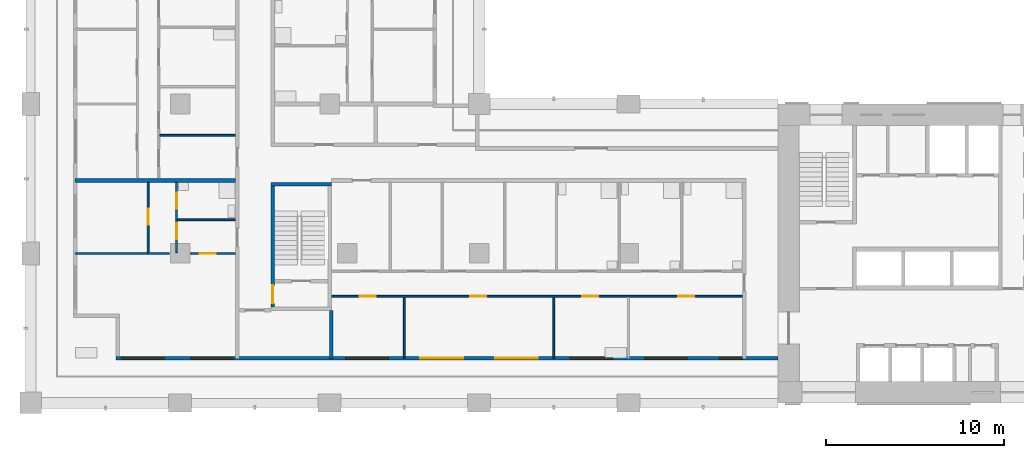
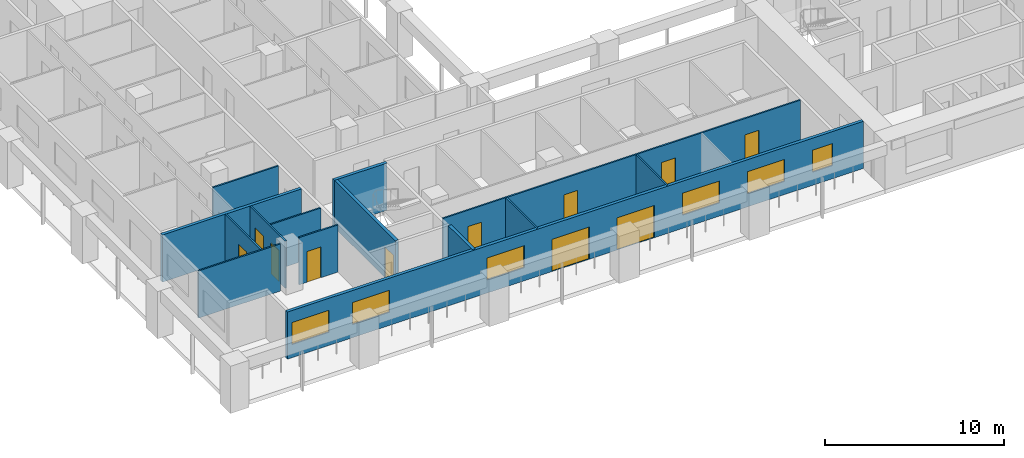
# One storey, part 2 of 17: 14 walls, 11 doors, 6 windows, 17 openings.
"""IFC4 building model written with IfcOpenShell, lengths in metres."""

from ifc_helpers import new_model, si_unit, direction, frame, frame_2d, origin, place, context, subcontext, project, spatial, rectangle, extrude, material, layer, layer_set, type_object, element, fill, save


model = new_model("IFC4")

# Units and contexts
model_context = context("Model", 3, precision=1e-05, world=origin(), true_north=direction((0.0, 1.0)))
body_context = subcontext(model_context, "Body", "Model", "MODEL_VIEW")
ifc_project = project(units=[si_unit("LENGTHUNIT", "METRE"), si_unit("AREAUNIT", "SQUARE_METRE"), si_unit("VOLUMEUNIT", "CUBIC_METRE"), si_unit("PLANEANGLEUNIT", "RADIAN"), si_unit("MASSUNIT", "GRAM", prefix="KILO")], contexts=[model_context])

# Site, building, storey
site_placement = place(None, origin())
site = spatial("IfcSite", under=ifc_project, at=site_placement, CompositionType="ELEMENT")
building_placement = place(site_placement, origin())
building = spatial("IfcBuilding", under=site, at=building_placement, Name="Vermilion Gate Residences", CompositionType="ELEMENT")
storey_placement = place(building_placement, frame((0.0, 0.0, 95.199951171875)))
storey = spatial("IfcBuildingStorey", under=building, at=storey_placement, Name="L23", CompositionType="ELEMENT", Elevation=95.199951171875)

# Wall, openings, doors, windows
ifc_material_1 = material(Name="Insulated steel stud wall with terracotta rainscreen", Category="masonry")
ifc_layer_1 = layer(ifc_material_1, 0.199951171875)
ifc_layer_set_1 = layer_set([ifc_layer_1], Name="EXTERNAL WALL 200 TERRACOTTA RAINSCREEN")
wall_type_1 = type_object("IfcWallType", Name="EXTERNAL WALL 200 TERRACOTTA RAINSCREEN", PredefinedType="SOLIDWALL", material=ifc_layer_set_1)
wall_1_placement = place(storey_placement, frame((4.800048828125, 10.89990234375, 0.0), z_axis=(0.0, 0.0, 1.0), x_axis=(1.0, 0.0, 0.0)))
wall_1 = element("IfcWall", 1, at=wall_1_placement, inside=storey, type_object=wall_type_1, Name="External wall", PredefinedType="SOLIDWALL", context=body_context, shape_type="SweptSolid", body=[
    extrude(rectangle(XDim=37.199951171875, YDim=0.199951171875, at=frame_2d((18.60009765625, 0.0))), origin(), (0.0, 0.0, 1.0), 3.219970703125),
])
opening_1_placement = place(wall_1_placement, frame((0.300048828125, 0.0, 0.89990234375)))
opening_1 = element("IfcOpeningElement", 2, at=opening_1_placement, cuts=wall_1, Name="Opening WE23012", PredefinedType="OPENING", context=body_context, shape_type="SweptSolid", body=[
    extrude(rectangle(XDim=2.39990234375, YDim=1.5, at=frame_2d((1.199951171875, 0.75))), frame((0.0, 0.10986328125, 0.0), z_axis=(0.0, -1.0, 0.0), x_axis=(1.0, 0.0, 0.0)), (0.0, 0.0, 1.0), 0.219970703125),
])
opening_2_placement = place(wall_1_placement, frame((4.199951171875, 0.0, 0.89990234375)))
opening_2 = element("IfcOpeningElement", 3, at=opening_2_placement, cuts=wall_1, Name="Opening WE23013", PredefinedType="OPENING", context=body_context, shape_type="SweptSolid", body=[
    extrude(rectangle(XDim=2.39990234375, YDim=1.5, at=frame_2d((1.199951171875, 0.75))), frame((0.0, 0.10986328125, 0.0), z_axis=(0.0, -1.0, 0.0), x_axis=(1.0, 0.0, 0.0)), (0.0, 0.0, 1.0), 0.219970703125),
])
opening_3_placement = place(wall_1_placement, frame((12.89990234375, 0.0, 0.89990234375)))
opening_3 = element("IfcOpeningElement", 4, at=opening_3_placement, cuts=wall_1, Name="Opening WE23014", PredefinedType="OPENING", context=body_context, shape_type="SweptSolid", body=[
    extrude(rectangle(XDim=2.39990234375, YDim=1.5, at=frame_2d((1.199951171875, 0.75))), frame((0.0, 0.10986328125, 0.0), z_axis=(0.0, -1.0, 0.0), x_axis=(1.0, 0.0, 0.0)), (0.0, 0.0, 1.0), 0.219970703125),
])
opening_4_placement = place(wall_1_placement, frame((17.10009765625, 0.0, 0.0)))
opening_4 = element("IfcOpeningElement", 5, at=opening_4_placement, cuts=wall_1, Name="Opening DE23015", PredefinedType="OPENING", context=body_context, shape_type="SweptSolid", body=[
    extrude(rectangle(XDim=2.39990234375, YDim=2.199951171875, at=frame_2d((1.199951171875, 1.10009765625))), frame((0.0, 0.10986328125, 0.0), z_axis=(0.0, -1.0, 0.0), x_axis=(1.0, 0.0, 0.0)), (0.0, 0.0, 1.0), 0.219970703125),
])
opening_5_placement = place(wall_1_placement, frame((21.300048828125, 0.0, 0.0)))
opening_5 = element("IfcOpeningElement", 6, at=opening_5_placement, cuts=wall_1, Name="Opening DE23016", PredefinedType="OPENING", context=body_context, shape_type="SweptSolid", body=[
    extrude(rectangle(XDim=2.39990234375, YDim=2.199951171875, at=frame_2d((1.199951171875, 1.10009765625))), frame((0.0, 0.10986328125, 0.0), z_axis=(0.0, -1.0, 0.0), x_axis=(1.0, 0.0, 0.0)), (0.0, 0.0, 1.0), 0.219970703125),
])
opening_6_placement = place(wall_1_placement, frame((25.5, 0.0, 0.89990234375)))
opening_6 = element("IfcOpeningElement", 7, at=opening_6_placement, cuts=wall_1, Name="Opening WE23017", PredefinedType="OPENING", context=body_context, shape_type="SweptSolid", body=[
    extrude(rectangle(XDim=2.39990234375, YDim=1.5, at=frame_2d((1.199951171875, 0.75))), frame((0.0, 0.10986328125, 0.0), z_axis=(0.0, -1.0, 0.0), x_axis=(1.0, 0.0, 0.0)), (0.0, 0.0, 1.0), 0.219970703125),
])
opening_7_placement = place(wall_1_placement, frame((29.699951171875, 0.0, 0.89990234375)))
opening_7 = element("IfcOpeningElement", 8, at=opening_7_placement, cuts=wall_1, Name="Opening WE23018", PredefinedType="OPENING", context=body_context, shape_type="SweptSolid", body=[
    extrude(rectangle(XDim=2.39990234375, YDim=1.5, at=frame_2d((1.199951171875, 0.75))), frame((0.0, 0.10986328125, 0.0), z_axis=(0.0, -1.0, 0.0), x_axis=(1.0, 0.0, 0.0)), (0.0, 0.0, 1.0), 0.219970703125),
])
opening_8_placement = place(wall_1_placement, frame((33.89990234375, 0.0, 0.89990234375)))
opening_8 = element("IfcOpeningElement", 9, at=opening_8_placement, cuts=wall_1, Name="Opening WE23019", PredefinedType="OPENING", context=body_context, shape_type="SweptSolid", body=[
    extrude(rectangle(XDim=1.300048828125, YDim=1.5, at=frame_2d((0.64990234375, 0.75))), frame((0.0, 0.10986328125, 0.0), z_axis=(0.0, -1.0, 0.0), x_axis=(1.0, 0.0, 0.0)), (0.0, 0.0, 1.0), 0.219970703125),
])
ifc_material_2 = material(Name="Aluminium and clear glass", Category="aluminium")
door_type_1 = type_object("IfcDoorType", Name="SLIDING GLAZED DOOR 2400 X 2200", OperationType="DOUBLE_DOOR_SLIDING", PredefinedType="DOOR", material=ifc_material_2)
door_1_placement = place(opening_4_placement, origin())
door_1 = element("IfcDoor", 10, at=door_1_placement, inside=storey, type_object=door_type_1, Name="Loggia sliding door", OperationType="DOUBLE_DOOR_SLIDING", OverallHeight=2.199951171875, OverallWidth=2.39990234375, PredefinedType="DOOR", context=body_context, shape_type="SweptSolid", body=[
    extrude(rectangle(XDim=2.39990234375, YDim=2.199951171875, at=frame_2d((1.199951171875, 1.10009765625))), frame((0.0, 0.02490234375, 0.0), z_axis=(0.0, -1.0, 0.0), x_axis=(1.0, 0.0, 0.0)), (0.0, 0.0, 1.0), 0.050048828125),
])
fill(opening_4, door_1)
door_2_placement = place(opening_5_placement, origin())
door_2 = element("IfcDoor", 11, at=door_2_placement, inside=storey, type_object=door_type_1, Name="Loggia sliding door", OperationType="DOUBLE_DOOR_SLIDING", OverallHeight=2.199951171875, OverallWidth=2.39990234375, PredefinedType="DOOR", context=body_context, shape_type="SweptSolid", body=[
    extrude(rectangle(XDim=2.39990234375, YDim=2.199951171875, at=frame_2d((1.199951171875, 1.10009765625))), frame((0.0, 0.02490234375, 0.0), z_axis=(0.0, -1.0, 0.0), x_axis=(1.0, 0.0, 0.0)), (0.0, 0.0, 1.0), 0.050048828125),
])
fill(opening_5, door_2)
ifc_material_3 = material(Name="Aluminium and clear glass", Category="aluminium")
window_type_1 = type_object("IfcWindowType", Name="WINDOW 1300 X 1500", PartitioningType="SINGLE_PANEL", PredefinedType="WINDOW", material=ifc_material_3)
window_1_placement = place(opening_8_placement, origin())
window_1 = element("IfcWindow", 12, at=window_1_placement, inside=storey, type_object=window_type_1, Name="Window", OverallHeight=1.5, OverallWidth=1.300048828125, PartitioningType="SINGLE_PANEL", PredefinedType="WINDOW", context=body_context, shape_type="SweptSolid", body=[
    extrude(rectangle(XDim=1.300048828125, YDim=1.5, at=frame_2d((0.64990234375, 0.75))), frame((0.0, 0.030029296875, 0.0), z_axis=(0.0, -1.0, 0.0), x_axis=(1.0, 0.0, 0.0)), (0.0, 0.0, 1.0), 0.06005859375),
])
fill(opening_8, window_1)
ifc_material_4 = material(Name="Aluminium and clear glass", Category="aluminium")
window_type_2 = type_object("IfcWindowType", Name="WINDOW 2400 X 1500", PartitioningType="SINGLE_PANEL", PredefinedType="WINDOW", material=ifc_material_4)
window_2_placement = place(opening_1_placement, origin())
window_2 = element("IfcWindow", 13, at=window_2_placement, inside=storey, type_object=window_type_2, Name="Window", OverallHeight=1.5, OverallWidth=2.39990234375, PartitioningType="SINGLE_PANEL", PredefinedType="WINDOW", context=body_context, shape_type="SweptSolid", body=[
    extrude(rectangle(XDim=2.39990234375, YDim=1.5, at=frame_2d((1.199951171875, 0.75))), frame((0.0, 0.030029296875, 0.0), z_axis=(0.0, -1.0, 0.0), x_axis=(1.0, 0.0, 0.0)), (0.0, 0.0, 1.0), 0.06005859375),
])
fill(opening_1, window_2)
window_3_placement = place(opening_2_placement, origin())
window_3 = element("IfcWindow", 14, at=window_3_placement, inside=storey, type_object=window_type_2, Name="Window", OverallHeight=1.5, OverallWidth=2.39990234375, PartitioningType="SINGLE_PANEL", PredefinedType="WINDOW", context=body_context, shape_type="SweptSolid", body=[
    extrude(rectangle(XDim=2.39990234375, YDim=1.5, at=frame_2d((1.199951171875, 0.75))), frame((0.0, 0.030029296875, 0.0), z_axis=(0.0, -1.0, 0.0), x_axis=(1.0, 0.0, 0.0)), (0.0, 0.0, 1.0), 0.06005859375),
])
fill(opening_2, window_3)
window_4_placement = place(opening_3_placement, origin())
window_4 = element("IfcWindow", 15, at=window_4_placement, inside=storey, type_object=window_type_2, Name="Window", OverallHeight=1.5, OverallWidth=2.39990234375, PartitioningType="SINGLE_PANEL", PredefinedType="WINDOW", context=body_context, shape_type="SweptSolid", body=[
    extrude(rectangle(XDim=2.39990234375, YDim=1.5, at=frame_2d((1.199951171875, 0.75))), frame((0.0, 0.030029296875, 0.0), z_axis=(0.0, -1.0, 0.0), x_axis=(1.0, 0.0, 0.0)), (0.0, 0.0, 1.0), 0.06005859375),
])
fill(opening_3, window_4)
window_5_placement = place(opening_6_placement, origin())
window_5 = element("IfcWindow", 16, at=window_5_placement, inside=storey, type_object=window_type_2, Name="Window", OverallHeight=1.5, OverallWidth=2.39990234375, PartitioningType="SINGLE_PANEL", PredefinedType="WINDOW", context=body_context, shape_type="SweptSolid", body=[
    extrude(rectangle(XDim=2.39990234375, YDim=1.5, at=frame_2d((1.199951171875, 0.75))), frame((0.0, 0.030029296875, 0.0), z_axis=(0.0, -1.0, 0.0), x_axis=(1.0, 0.0, 0.0)), (0.0, 0.0, 1.0), 0.06005859375),
])
fill(opening_6, window_5)
window_6_placement = place(opening_7_placement, origin())
window_6 = element("IfcWindow", 17, at=window_6_placement, inside=storey, type_object=window_type_2, Name="Window", OverallHeight=1.5, OverallWidth=2.39990234375, PartitioningType="SINGLE_PANEL", PredefinedType="WINDOW", context=body_context, shape_type="SweptSolid", body=[
    extrude(rectangle(XDim=2.39990234375, YDim=1.5, at=frame_2d((1.199951171875, 0.75))), frame((0.0, 0.030029296875, 0.0), z_axis=(0.0, -1.0, 0.0), x_axis=(1.0, 0.0, 0.0)), (0.0, 0.0, 1.0), 0.06005859375),
])
fill(opening_7, window_6)

# Wall, openings, doors
ifc_material_5 = material(Name="Plasterboard on steel studs", Category="steel")
ifc_layer_2 = layer(ifc_material_5, 0.10009765625)
ifc_layer_set_2 = layer_set([ifc_layer_2], Name="PARTITION 100")
wall_type_2 = type_object("IfcWallType", Name="PARTITION 100", PredefinedType="PARTITIONING", material=ifc_layer_set_2)
wall_2_placement = place(storey_placement, frame((16.89990234375, 14.39990234375, 0.0), z_axis=(0.0, 0.0, 1.0), x_axis=(1.0, 0.0, 0.0)))
wall_2 = element("IfcWall", 18, at=wall_2_placement, inside=storey, type_object=wall_type_2, Name="Partition", PredefinedType="PARTITIONING", context=body_context, shape_type="SweptSolid", body=[
    extrude(rectangle(XDim=23.10009765625, YDim=0.10009765625, at=frame_2d((11.550048828125, 0.0))), origin(), (0.0, 0.0, 1.0), 3.219970703125),
])
opening_9_placement = place(wall_2_placement, frame((1.60009765625, 0.0, 0.0)))
opening_9 = element("IfcOpeningElement", 19, at=opening_9_placement, cuts=wall_2, Name="Opening DA22002", PredefinedType="OPENING", context=body_context, shape_type="SweptSolid", body=[
    extrude(rectangle(XDim=0.89990234375, YDim=2.10009765625, at=frame_2d((0.449951171875, 1.050048828125))), frame((0.0, 0.06005859375, 0.0), z_axis=(0.0, -1.0, 0.0), x_axis=(1.0, 0.0, 0.0)), (0.0, 0.0, 1.0), 0.1201171875),
])
opening_10_placement = place(wall_2_placement, frame((7.800048828125, 0.0, 0.0)))
opening_10 = element("IfcOpeningElement", 20, at=opening_10_placement, cuts=wall_2, Name="Opening DA22003", PredefinedType="OPENING", context=body_context, shape_type="SweptSolid", body=[
    extrude(rectangle(XDim=0.89990234375, YDim=2.10009765625, at=frame_2d((0.449951171875, 1.050048828125))), frame((0.0, 0.06005859375, 0.0), z_axis=(0.0, -1.0, 0.0), x_axis=(1.0, 0.0, 0.0)), (0.0, 0.0, 1.0), 0.1201171875),
])
opening_11_placement = place(wall_2_placement, frame((14.10009765625, 0.0, 0.0)))
opening_11 = element("IfcOpeningElement", 21, at=opening_11_placement, cuts=wall_2, Name="Opening DA22004", PredefinedType="OPENING", context=body_context, shape_type="SweptSolid", body=[
    extrude(rectangle(XDim=0.89990234375, YDim=2.10009765625, at=frame_2d((0.449951171875, 1.050048828125))), frame((0.0, 0.06005859375, 0.0), z_axis=(0.0, -1.0, 0.0), x_axis=(1.0, 0.0, 0.0)), (0.0, 0.0, 1.0), 0.1201171875),
])
opening_12_placement = place(wall_2_placement, frame((19.5, 0.0, 0.0)))
opening_12 = element("IfcOpeningElement", 22, at=opening_12_placement, cuts=wall_2, Name="Opening DA22005", PredefinedType="OPENING", context=body_context, shape_type="SweptSolid", body=[
    extrude(rectangle(XDim=0.89990234375, YDim=2.10009765625, at=frame_2d((0.449951171875, 1.050048828125))), frame((0.0, 0.06005859375, 0.0), z_axis=(0.0, -1.0, 0.0), x_axis=(1.0, 0.0, 0.0)), (0.0, 0.0, 1.0), 0.1201171875),
])
ifc_material_6 = material(Name="Timber", Category="wood")
door_type_2 = type_object("IfcDoorType", Name="INTERIOR DOOR 900 X 2100", OperationType="SINGLE_SWING_LEFT", PredefinedType="DOOR", material=ifc_material_6)
door_3_placement = place(opening_9_placement, frame((0.89990234375, 0.0, 0.0), z_axis=(0.0, 0.0, 1.0), x_axis=(-1.0, 0.0, 0.0)))
door_3 = element("IfcDoor", 23, at=door_3_placement, inside=storey, type_object=door_type_2, Name="Interior door", OperationType="SINGLE_SWING_LEFT", OverallHeight=2.10009765625, OverallWidth=0.89990234375, PredefinedType="DOOR", context=body_context, shape_type="SweptSolid", body=[
    extrude(rectangle(XDim=0.89990234375, YDim=2.10009765625, at=frame_2d((0.449951171875, 1.050048828125))), frame((0.0, 0.02490234375, 0.0), z_axis=(0.0, -1.0, 0.0), x_axis=(1.0, 0.0, 0.0)), (0.0, 0.0, 1.0), 0.050048828125),
])
fill(opening_9, door_3)
door_4_placement = place(opening_10_placement, frame((0.89990234375, 0.0, 0.0), z_axis=(0.0, 0.0, 1.0), x_axis=(-1.0, 0.0, 0.0)))
door_4 = element("IfcDoor", 24, at=door_4_placement, inside=storey, type_object=door_type_2, Name="Interior door", OperationType="SINGLE_SWING_RIGHT", OverallHeight=2.10009765625, OverallWidth=0.89990234375, PredefinedType="DOOR", context=body_context, shape_type="SweptSolid", body=[
    extrude(rectangle(XDim=0.89990234375, YDim=2.10009765625, at=frame_2d((0.449951171875, 1.050048828125))), frame((0.0, 0.02490234375, 0.0), z_axis=(0.0, -1.0, 0.0), x_axis=(1.0, 0.0, 0.0)), (0.0, 0.0, 1.0), 0.050048828125),
])
fill(opening_10, door_4)
door_5_placement = place(opening_11_placement, frame((0.89990234375, 0.0, 0.0), z_axis=(0.0, 0.0, 1.0), x_axis=(-1.0, 0.0, 0.0)))
door_5 = element("IfcDoor", 25, at=door_5_placement, inside=storey, type_object=door_type_2, Name="Interior door", OperationType="SINGLE_SWING_RIGHT", OverallHeight=2.10009765625, OverallWidth=0.89990234375, PredefinedType="DOOR", context=body_context, shape_type="SweptSolid", body=[
    extrude(rectangle(XDim=0.89990234375, YDim=2.10009765625, at=frame_2d((0.449951171875, 1.050048828125))), frame((0.0, 0.02490234375, 0.0), z_axis=(0.0, -1.0, 0.0), x_axis=(1.0, 0.0, 0.0)), (0.0, 0.0, 1.0), 0.050048828125),
])
fill(opening_11, door_5)
door_6_placement = place(opening_12_placement, frame((0.89990234375, 0.0, 0.0), z_axis=(0.0, 0.0, 1.0), x_axis=(-1.0, 0.0, 0.0)))
door_6 = element("IfcDoor", 26, at=door_6_placement, inside=storey, type_object=door_type_2, Name="Interior door", OperationType="SINGLE_SWING_LEFT", OverallHeight=2.10009765625, OverallWidth=0.89990234375, PredefinedType="DOOR", context=body_context, shape_type="SweptSolid", body=[
    extrude(rectangle(XDim=0.89990234375, YDim=2.10009765625, at=frame_2d((0.449951171875, 1.050048828125))), frame((0.0, 0.02490234375, 0.0), z_axis=(0.0, -1.0, 0.0), x_axis=(1.0, 0.0, 0.0)), (0.0, 0.0, 1.0), 0.050048828125),
])
fill(opening_12, door_6)

# Wall
wall_3_placement = place(storey_placement, frame((2.5, 16.800048828125, 0.0), z_axis=(0.0, 0.0, 1.0), x_axis=(1.0, 0.0, 0.0)))
element("IfcWall", 27, at=wall_3_placement, inside=storey, type_object=wall_type_2, Name="Partition", PredefinedType="PARTITIONING", context=body_context, shape_type="SweptSolid", body=[
    extrude(rectangle(XDim=5.300048828125, YDim=0.10009765625, at=frame_2d((2.64990234375, 0.0))), origin(), (0.0, 0.0, 1.0), 3.219970703125),
])

# Wall, opening, door
wall_4_placement = place(storey_placement, frame((9.0, 16.800048828125, 0.0), z_axis=(0.0, 0.0, 1.0), x_axis=(1.0, 0.0, 0.0)))
wall_4 = element("IfcWall", 28, at=wall_4_placement, inside=storey, type_object=wall_type_2, Name="Partition", PredefinedType="PARTITIONING", context=body_context, shape_type="SweptSolid", body=[
    extrude(rectangle(XDim=2.5, YDim=0.10009765625, at=frame_2d((1.25, 0.0))), origin(), (0.0, 0.0, 1.0), 3.219970703125),
])
opening_13_placement = place(wall_4_placement, frame((0.5, 0.0, 0.0)))
opening_13 = element("IfcOpeningElement", 29, at=opening_13_placement, cuts=wall_4, Name="Opening DA22013", PredefinedType="OPENING", context=body_context, shape_type="SweptSolid", body=[
    extrude(rectangle(XDim=0.89990234375, YDim=2.10009765625, at=frame_2d((0.449951171875, 1.050048828125))), frame((0.0, 0.06005859375, 0.0), z_axis=(0.0, -1.0, 0.0), x_axis=(1.0, 0.0, 0.0)), (0.0, 0.0, 1.0), 0.1201171875),
])
door_7_placement = place(opening_13_placement, frame((0.89990234375, 0.0, 0.0), z_axis=(0.0, 0.0, 1.0), x_axis=(-1.0, 0.0, 0.0)))
door_7 = element("IfcDoor", 30, at=door_7_placement, inside=storey, type_object=door_type_2, Name="Interior door", OperationType="SINGLE_SWING_RIGHT", OverallHeight=2.10009765625, OverallWidth=0.89990234375, PredefinedType="DOOR", context=body_context, shape_type="SweptSolid", body=[
    extrude(rectangle(XDim=0.89990234375, YDim=2.10009765625, at=frame_2d((0.449951171875, 1.050048828125))), frame((0.0, 0.02490234375, 0.0), z_axis=(0.0, -1.0, 0.0), x_axis=(1.0, 0.0, 0.0)), (0.0, 0.0, 1.0), 0.050048828125),
])
fill(opening_13, door_7)

# Walls
wall_5_placement = place(storey_placement, frame((8.25, 18.699951171875, 0.0), z_axis=(0.0, 0.0, 1.0), x_axis=(1.0, 0.0, 0.0)))
element("IfcWall", 31, at=wall_5_placement, inside=storey, type_object=wall_type_2, Name="Partition", PredefinedType="PARTITIONING", context=body_context, shape_type="SweptSolid", body=[
    extrude(rectangle(XDim=3.25, YDim=0.10009765625, at=frame_2d((1.625, 0.0))), origin(), (0.0, 0.0, 1.0), 3.219970703125),
])
wall_6_placement = place(storey_placement, frame((7.25, 23.43798828125, 0.0), z_axis=(0.0, 0.0, 1.0), x_axis=(1.0, 0.0, 0.0)))
element("IfcWall", 32, at=wall_6_placement, inside=storey, type_object=wall_type_2, Name="Partition", PredefinedType="PARTITIONING", context=body_context, shape_type="SweptSolid", body=[
    extrude(rectangle(XDim=4.25, YDim=0.10009765625, at=frame_2d((2.125, 0.0))), origin(), (0.0, 0.0, 1.0), 3.219970703125),
])

# Wall, opening, door
wall_7_placement = place(storey_placement, frame((6.60009765625, 16.85009765625, 0.0), z_axis=(0.0, 0.0, 1.0), x_axis=(0.0, 1.0, 0.0)))
wall_7 = element("IfcWall", 33, at=wall_7_placement, inside=storey, type_object=wall_type_2, Name="Partition", PredefinedType="PARTITIONING", context=body_context, shape_type="SweptSolid", body=[
    extrude(rectangle(XDim=3.949951171875, YDim=0.10009765625, at=frame_2d((1.97509765625, 0.0))), origin(), (0.0, 0.0, 1.0), 3.219970703125),
])
opening_14_placement = place(wall_7_placement, frame((1.550048828125, 0.0, 0.0)))
opening_14 = element("IfcOpeningElement", 34, at=opening_14_placement, cuts=wall_7, Name="Opening DA22025", PredefinedType="OPENING", context=body_context, shape_type="SweptSolid", body=[
    extrude(rectangle(XDim=0.89990234375, YDim=2.10009765625, at=frame_2d((0.449951171875, 1.050048828125))), frame((0.0, 0.06005859375, 0.0), z_axis=(0.0, -1.0, 0.0), x_axis=(1.0, 0.0, 0.0)), (0.0, 0.0, 1.0), 0.1201171875),
])
door_8_placement = place(opening_14_placement, origin())
door_8 = element("IfcDoor", 35, at=door_8_placement, inside=storey, type_object=door_type_2, Name="Interior door", OperationType="SINGLE_SWING_RIGHT", OverallHeight=2.10009765625, OverallWidth=0.89990234375, PredefinedType="DOOR", context=body_context, shape_type="SweptSolid", body=[
    extrude(rectangle(XDim=0.89990234375, YDim=2.10009765625, at=frame_2d((0.449951171875, 1.050048828125))), frame((0.0, 0.02490234375, 0.0), z_axis=(0.0, -1.0, 0.0), x_axis=(1.0, 0.0, 0.0)), (0.0, 0.0, 1.0), 0.050048828125),
])
fill(opening_14, door_8)

# Wall, openings, doors
wall_8_placement = place(storey_placement, frame((8.199951171875, 16.85009765625, 0.0), z_axis=(0.0, 0.0, 1.0), x_axis=(0.0, 1.0, 0.0)))
wall_8 = element("IfcWall", 36, at=wall_8_placement, inside=storey, type_object=wall_type_2, Name="Partition", PredefinedType="PARTITIONING", context=body_context, shape_type="SweptSolid", body=[
    extrude(rectangle(XDim=3.949951171875, YDim=0.10009765625, at=frame_2d((1.97509765625, 0.0))), origin(), (0.0, 0.0, 1.0), 3.219970703125),
])
opening_15_placement = place(wall_8_placement, frame((0.75, 0.0, 0.0)))
opening_15 = element("IfcOpeningElement", 37, at=opening_15_placement, cuts=wall_8, Name="Opening DA22034", PredefinedType="OPENING", context=body_context, shape_type="SweptSolid", body=[
    extrude(rectangle(XDim=0.89990234375, YDim=2.10009765625, at=frame_2d((0.449951171875, 1.050048828125))), frame((0.0, 0.06005859375, 0.0), z_axis=(0.0, -1.0, 0.0), x_axis=(1.0, 0.0, 0.0)), (0.0, 0.0, 1.0), 0.1201171875),
])
opening_16_placement = place(wall_8_placement, frame((2.449951171875, 0.0, 0.0)))
opening_16 = element("IfcOpeningElement", 38, at=opening_16_placement, cuts=wall_8, Name="Opening DA22035", PredefinedType="OPENING", context=body_context, shape_type="SweptSolid", body=[
    extrude(rectangle(XDim=0.89990234375, YDim=2.10009765625, at=frame_2d((0.449951171875, 1.050048828125))), frame((0.0, 0.06005859375, 0.0), z_axis=(0.0, -1.0, 0.0), x_axis=(1.0, 0.0, 0.0)), (0.0, 0.0, 1.0), 0.1201171875),
])
door_9_placement = place(opening_15_placement, frame((0.89990234375, 0.0, 0.0), z_axis=(0.0, 0.0, 1.0), x_axis=(-1.0, 0.0, 0.0)))
door_9 = element("IfcDoor", 39, at=door_9_placement, inside=storey, type_object=door_type_2, Name="Interior door", OperationType="SINGLE_SWING_LEFT", OverallHeight=2.10009765625, OverallWidth=0.89990234375, PredefinedType="DOOR", context=body_context, shape_type="SweptSolid", body=[
    extrude(rectangle(XDim=0.89990234375, YDim=2.10009765625, at=frame_2d((0.449951171875, 1.050048828125))), frame((0.0, 0.02490234375, 0.0), z_axis=(0.0, -1.0, 0.0), x_axis=(1.0, 0.0, 0.0)), (0.0, 0.0, 1.0), 0.050048828125),
])
fill(opening_15, door_9)
door_10_placement = place(opening_16_placement, frame((0.89990234375, 0.0, 0.0), z_axis=(0.0, 0.0, 1.0), x_axis=(-1.0, 0.0, 0.0)))
door_10 = element("IfcDoor", 40, at=door_10_placement, inside=storey, type_object=door_type_2, Name="Interior door", OperationType="SINGLE_SWING_LEFT", OverallHeight=2.10009765625, OverallWidth=0.89990234375, PredefinedType="DOOR", context=body_context, shape_type="SweptSolid", body=[
    extrude(rectangle(XDim=0.89990234375, YDim=2.10009765625, at=frame_2d((0.449951171875, 1.050048828125))), frame((0.0, 0.02490234375, 0.0), z_axis=(0.0, -1.0, 0.0), x_axis=(1.0, 0.0, 0.0)), (0.0, 0.0, 1.0), 0.050048828125),
])
fill(opening_16, door_10)

# Walls
for number, where, z_axis, x_axis, name in (
    (41, (21.0, 10.89990234375, 0.0), (0.0, 0.0, 1.0), (0.0, 1.0, 0.0), "Partition"),
    (42, (29.39990234375, 10.89990234375, 0.0), (0.0, 0.0, 1.0), (0.0, 1.0, 0.0), "Partition"),
):
    element("IfcWall", number, at=place(storey_placement, frame(where, z_axis=z_axis, x_axis=x_axis)), inside=storey, type_object=wall_type_2, Name=name, PredefinedType="PARTITIONING", context=body_context, shape_type="SweptSolid", body=[
        extrude(rectangle(XDim=3.4501953125, YDim=0.10009765625, at=frame_2d((1.72509765625, 0.0))), origin(), (0.0, 0.0, 1.0), 3.219970703125),
    ])
ifc_material_7 = material(Name="Fire-rated plasterboard on steel studs", Category="steel")
ifc_layer_3 = layer(ifc_material_7, 0.199951171875)
ifc_layer_set_3 = layer_set([ifc_layer_3], Name="PARTY WALL 200 EI 120")
wall_type_3 = type_object("IfcWallType", Name="PARTY WALL 200 EI 120", PredefinedType="PARTITIONING", material=ifc_layer_set_3)
wall_9_placement = place(storey_placement, frame((2.5, 20.89990234375, 0.0), z_axis=(0.0, 0.0, 1.0), x_axis=(1.0, 0.0, 0.0)))
element("IfcWall", 43, at=wall_9_placement, inside=storey, type_object=wall_type_3, Name="Party and corridor wall", PredefinedType="PARTITIONING", context=body_context, shape_type="SweptSolid", body=[
    extrude(rectangle(XDim=9.0, YDim=0.199951171875, at=frame_2d((4.5, 0.0))), origin(), (0.0, 0.0, 1.0), 3.219970703125),
])
wall_10_placement = place(storey_placement, frame((16.89990234375, 10.89990234375, 0.0), z_axis=(0.0, 0.0, 1.0), x_axis=(0.0, 1.0, 0.0)))
element("IfcWall", 44, at=wall_10_placement, inside=storey, type_object=wall_type_3, Name="Party and corridor wall", PredefinedType="PARTITIONING", context=body_context, shape_type="SweptSolid", body=[
    extrude(rectangle(XDim=2.7001953125, YDim=0.199951171875, at=frame_2d((1.35009765625, 0.0))), origin(), (0.0, 0.0, 1.0), 3.219970703125),
])

# Wall, opening, door
ifc_material_8 = material(Name="Concrete C60", Category="concrete")
ifc_layer_4 = layer(ifc_material_8, 0.199951171875)
ifc_layer_set_4 = layer_set([ifc_layer_4], Name="RC CORE INTERNAL WALL 200 C60")
wall_type_4 = type_object("IfcWallType", Name="RC CORE INTERNAL WALL 200 C60", PredefinedType="SHEAR", material=ifc_layer_set_4)
wall_11_placement = place(storey_placement, frame((13.60009765625, 13.800048828125, 0.0), z_axis=(0.0, 0.0, 1.0), x_axis=(0.0, 1.0, 0.0)))
wall_11 = element("IfcWall", 45, at=wall_11_placement, inside=storey, type_object=wall_type_4, Name="Core internal wall C23-W", PredefinedType="SHEAR", context=body_context, shape_type="SweptSolid", body=[
    extrude(rectangle(XDim=6.800048828125, YDim=0.199951171875, at=frame_2d((3.39990234375, 0.0))), origin(), (0.0, 0.0, 1.0), 3.219970703125),
])
opening_17_placement = place(wall_11_placement, frame((0.199951171875, 0.0, 0.0)))
opening_17 = element("IfcOpeningElement", 46, at=opening_17_placement, cuts=wall_11, Name="Opening DK23201", PredefinedType="OPENING", context=body_context, shape_type="SweptSolid", body=[
    extrude(rectangle(XDim=1.0, YDim=2.10009765625, at=frame_2d((0.5, 1.050048828125))), frame((0.0, 0.10986328125, 0.0), z_axis=(0.0, -1.0, 0.0), x_axis=(1.0, 0.0, 0.0)), (0.0, 0.0, 1.0), 0.219970703125),
])
ifc_material_9 = material(Name="Steel", Category="steel")
door_type_3 = type_object("IfcDoorType", Name="FIRE DOOR FD60 1000 X 2100", OperationType="SINGLE_SWING_LEFT", PredefinedType="DOOR", material=ifc_material_9)
door_11_placement = place(opening_17_placement, frame((1.0, 0.0, 0.0), z_axis=(0.0, 0.0, 1.0), x_axis=(-1.0, 0.0, 0.0)))
door_11 = element("IfcDoor", 47, at=door_11_placement, inside=storey, type_object=door_type_3, Name="Stair vestibule door C23", OperationType="SINGLE_SWING_LEFT", OverallHeight=2.10009765625, OverallWidth=1.0, PredefinedType="DOOR", context=body_context, shape_type="SweptSolid", body=[
    extrude(rectangle(XDim=1.0, YDim=2.10009765625, at=frame_2d((0.5, 1.050048828125))), frame((0.0, 0.02490234375, 0.0), z_axis=(0.0, -1.0, 0.0), x_axis=(1.0, 0.0, 0.0)), (0.0, 0.0, 1.0), 0.050048828125),
])
fill(opening_17, door_11)

# Wall
wall_12_placement = place(storey_placement, frame((13.5, 20.699951171875, 0.0), z_axis=(0.0, 0.0, 1.0), x_axis=(1.0, 0.0, 0.0)))
element("IfcWall", 48, at=wall_12_placement, inside=storey, type_object=wall_type_4, Name="Core internal wall C23-N", PredefinedType="SHEAR", context=body_context, shape_type="SweptSolid", body=[
    extrude(rectangle(XDim=3.39990234375, YDim=0.199951171875, at=frame_2d((1.699951171875, 0.0))), origin(), (0.0, 0.0, 1.0), 3.219970703125),
])

save(model, "model.ifc")
